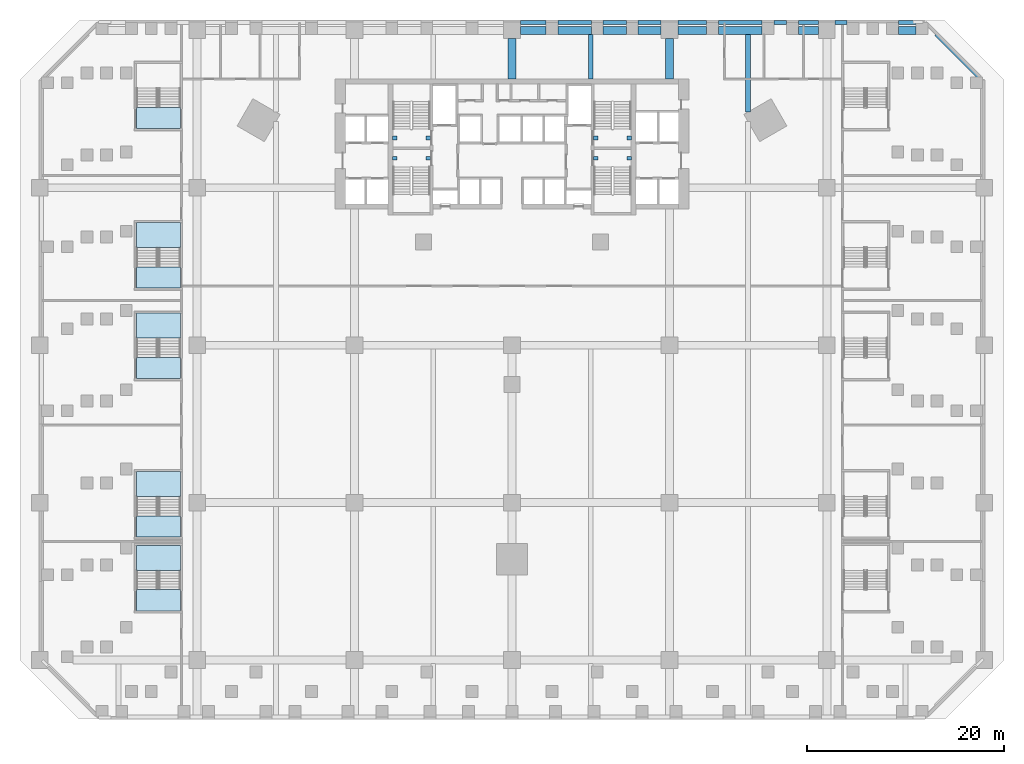
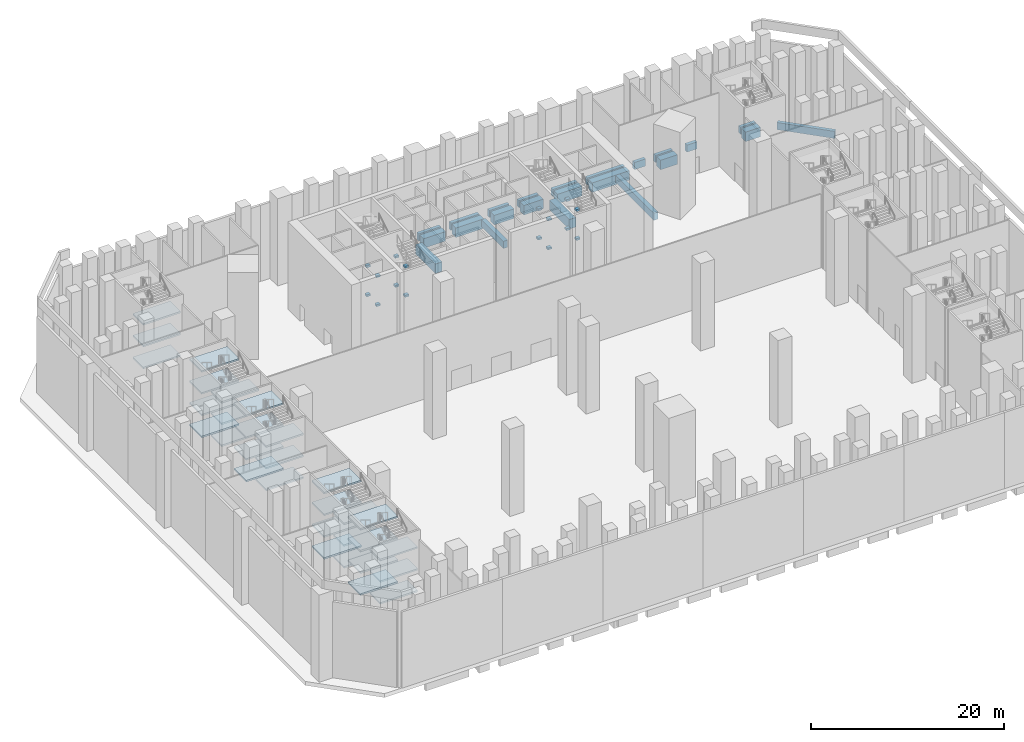
# One storey, part 3 of 31: 39 beams, 31 slabs, 5 elements without a shape of their own.
"""IFC4 building model written with IfcOpenShell, lengths in metres."""

from ifc_helpers import new_model, si_unit, direction, frame, origin, origin_2d, place, context, subcontext, project, spatial, polyline, rectangle, outline, extrude, material, layer, layer_set, material_profile, profile_set, type_object, element, aggregate, save


model = new_model("IFC4")

# Units and contexts
model_context = context("Model", 3, precision=1e-05, world=origin(), true_north=direction((0.0, 1.0)))
body_context = subcontext(model_context, "Body", "Model", "MODEL_VIEW")
ifc_project = project(units=[si_unit("LENGTHUNIT", "METRE"), si_unit("AREAUNIT", "SQUARE_METRE"), si_unit("VOLUMEUNIT", "CUBIC_METRE"), si_unit("PLANEANGLEUNIT", "RADIAN"), si_unit("MASSUNIT", "GRAM", prefix="KILO")], contexts=[model_context])

# Site, building, storey
site_placement = place(None, origin())
site = spatial("IfcSite", under=ifc_project, at=site_placement, CompositionType="ELEMENT")
building_placement = place(site_placement, origin())
building = spatial("IfcBuilding", under=site, at=building_placement, Name="Calabash Gate Tower", CompositionType="ELEMENT")
storey_placement = place(building_placement, frame((0.0, 0.0, 9.0)))
storey = spatial("IfcBuildingStorey", under=building, at=storey_placement, Name="L01", CompositionType="ELEMENT", Elevation=9.0)

# Beams
ifc_material_1 = material(Name="Concrete C50/60", Category="concrete")
ifc_material_profile_1 = material_profile(ifc_material_1, rectangle(XDim=0.39990234375, YDim=0.89990234375, at=origin_2d()))
ifc_profile_set_1 = profile_set([ifc_material_profile_1], Name="Concrete C50/60")
beam_type_1 = type_object("IfcBeamType", Name="Edge beam RC 400x900 Concrete C50/60", PredefinedType="BEAM", material=ifc_profile_set_1)
beam_1_placement = place(storey_placement, frame((0.85009765625, 24.800048828125, -0.949951171875), z_axis=(1.0, 0.0, 0.0), x_axis=(0.0, 1.0, 0.0)))
element("IfcBeam", 1, at=beam_1_placement, inside=storey, type_object=beam_type_1, Name="Edge beam L01 20", PredefinedType="BEAM", context=body_context, shape_type="SweptSolid", body=[
    extrude(rectangle(XDim=0.39990234375, YDim=0.89990234375, at=origin_2d()), origin(), (0.0, 0.0, 1.0), 2.6240234375),
])
beam_2_placement = place(storey_placement, frame((4.674072265625, 24.800048828125, -0.949951171875), z_axis=(1.0, 0.0, 0.0), x_axis=(0.0, 1.0, 0.0)))
element("IfcBeam", 2, at=beam_2_placement, inside=storey, type_object=beam_type_1, Name="Edge beam L01 21", PredefinedType="BEAM", context=body_context, shape_type="SweptSolid", body=[
    extrude(rectangle(XDim=0.39990234375, YDim=0.89990234375, at=origin_2d()), origin(), (0.0, 0.0, 1.0), 3.392822265625),
])
beam_3_placement = place(storey_placement, frame((9.26708984375, 24.800048828125, -0.949951171875), z_axis=(1.0, 0.0, 0.0), x_axis=(0.0, 1.0, 0.0)))
element("IfcBeam", 3, at=beam_3_placement, inside=storey, type_object=beam_type_1, Name="Edge beam L01 22", PredefinedType="BEAM", context=body_context, shape_type="SweptSolid", body=[
    extrude(rectangle(XDim=0.39990234375, YDim=0.89990234375, at=origin_2d()), origin(), (0.0, 0.0, 1.0), 2.35595703125),
])
beam_4_placement = place(storey_placement, frame((12.822998046875, 24.800048828125, -0.949951171875), z_axis=(1.0, 0.0, 0.0), x_axis=(0.0, 1.0, 0.0)))
element("IfcBeam", 4, at=beam_4_placement, inside=storey, type_object=beam_type_1, Name="Edge beam L01 23", PredefinedType="BEAM", context=body_context, shape_type="SweptSolid", body=[
    extrude(rectangle(XDim=0.39990234375, YDim=0.89990234375, at=origin_2d()), origin(), (0.0, 0.0, 1.0), 2.326904296875),
])
beam_5_placement = place(storey_placement, frame((16.85009765625, 24.800048828125, -0.949951171875), z_axis=(1.0, 0.0, 0.0), x_axis=(0.0, 1.0, 0.0)))
element("IfcBeam", 5, at=beam_5_placement, inside=storey, type_object=beam_type_1, Name="Edge beam L01 24", PredefinedType="BEAM", context=body_context, shape_type="SweptSolid", body=[
    extrude(rectangle(XDim=0.39990234375, YDim=0.89990234375, at=origin_2d()), origin(), (0.0, 0.0, 1.0), 2.9208984375),
])
beam_6_placement = place(storey_placement, frame((20.971923828125, 24.800048828125, -0.949951171875), z_axis=(1.0, 0.0, 0.0), x_axis=(0.0, 1.0, 0.0)))
element("IfcBeam", 6, at=beam_6_placement, inside=storey, type_object=beam_type_1, Name="Edge beam L01 25", PredefinedType="BEAM", context=body_context, shape_type="SweptSolid", body=[
    extrude(rectangle(XDim=0.39990234375, YDim=0.89990234375, at=origin_2d()), origin(), (0.0, 0.0, 1.0), 4.428955078125),
])
beam_7_placement = place(storey_placement, frame((26.60205078125, 24.800048828125, -0.949951171875), z_axis=(1.0, 0.0, 0.0), x_axis=(0.0, 1.0, 0.0)))
element("IfcBeam", 7, at=beam_7_placement, inside=storey, type_object=beam_type_1, Name="Edge beam L01 26", PredefinedType="BEAM", context=body_context, shape_type="SweptSolid", body=[
    extrude(rectangle(XDim=0.39990234375, YDim=0.89990234375, at=origin_2d()), origin(), (0.0, 0.0, 1.0), 1.31787109375),
])
beam_8_placement = place(storey_placement, frame((29.1201171875, 24.800048828125, -0.949951171875), z_axis=(1.0, 0.0, 0.0), x_axis=(0.0, 1.0, 0.0)))
element("IfcBeam", 8, at=beam_8_placement, inside=storey, type_object=beam_type_1, Name="Edge beam L01 27", PredefinedType="BEAM", context=body_context, shape_type="SweptSolid", body=[
    extrude(rectangle(XDim=0.39990234375, YDim=0.89990234375, at=origin_2d()), origin(), (0.0, 0.0, 1.0), 2.02978515625),
])
beam_9_placement = place(storey_placement, frame((32.85009765625, 24.800048828125, -0.949951171875), z_axis=(1.0, 0.0, 0.0), x_axis=(0.0, 1.0, 0.0)))
element("IfcBeam", 9, at=beam_9_placement, inside=storey, type_object=beam_type_1, Name="Edge beam L01 28", PredefinedType="BEAM", context=body_context, shape_type="SweptSolid", body=[
    extrude(rectangle(XDim=0.39990234375, YDim=0.89990234375, at=origin_2d()), origin(), (0.0, 0.0, 1.0), 1.218994140625),
])
beam_10_placement = place(storey_placement, frame((39.26904296875, 24.800048828125, -0.949951171875), z_axis=(1.0, 0.0, 0.0), x_axis=(0.0, 1.0, 0.0)))
element("IfcBeam", 10, at=beam_10_placement, inside=storey, type_object=beam_type_1, Name="Edge beam L01 29", PredefinedType="BEAM", context=body_context, shape_type="SweptSolid", body=[
    extrude(rectangle(XDim=0.39990234375, YDim=0.89990234375, at=origin_2d()), origin(), (0.0, 0.0, 1.0), 1.800048828125),
])
beam_11_placement = place(storey_placement, frame((43.096923828125, 23.623046875, -0.949951171875), z_axis=(0.706869642942, -0.70734383993, 0.0), x_axis=(0.70734383993, 0.706869642942, 0.0)))
element("IfcBeam", 11, at=beam_11_placement, inside=storey, type_object=beam_type_1, Name="Edge beam L01 30", PredefinedType="BEAM", context=body_context, shape_type="SweptSolid", body=[
    extrude(rectangle(XDim=0.39990234375, YDim=0.89990234375, at=origin_2d()), origin(), (0.0, 0.0, 1.0), 6.17822265625),
])
ifc_material_2 = material(Name="Concrete C50/60", Category="concrete")
ifc_material_profile_2 = material_profile(ifc_material_2, rectangle(XDim=0.5, YDim=0.89990234375, at=origin_2d()))
ifc_profile_set_2 = profile_set([ifc_material_profile_2], Name="Concrete C50/60")
beam_type_2 = type_object("IfcBeamType", Name="Floor beam RC 500x900 Concrete C50/60", PredefinedType="BEAM", material=ifc_profile_set_2)
beam_12_placement = place(storey_placement, frame((8.0, 19.052978515625, -0.949951171875), z_axis=(0.0, 1.0, 0.0), x_axis=(-1.0, 0.0, 0.0)))
element("IfcBeam", 12, at=beam_12_placement, inside=storey, type_object=beam_type_2, Name="Floor beam L01 15", PredefinedType="BEAM", context=body_context, shape_type="SweptSolid", body=[
    extrude(rectangle(XDim=0.5, YDim=0.89990234375, at=origin_2d()), origin(), (0.0, 0.0, 1.0), 4.547119140625),
])
beam_13_placement = place(storey_placement, frame((24.0, 15.681884765625, -0.949951171875), z_axis=(0.0, 1.0, 0.0), x_axis=(-1.0, 0.0, 0.0)))
element("IfcBeam", 13, at=beam_13_placement, inside=storey, type_object=beam_type_2, Name="Floor beam L01 21", PredefinedType="BEAM", context=body_context, shape_type="SweptSolid", body=[
    extrude(rectangle(XDim=0.5, YDim=0.89990234375, at=origin_2d()), origin(), (0.0, 0.0, 1.0), 7.918212890625),
])
ifc_material_3 = material(Name="Concrete C50/60", Category="concrete")
ifc_material_profile_3 = material_profile(ifc_material_3, rectangle(XDim=0.800048828125, YDim=1.199951171875, at=origin_2d()))
ifc_profile_set_3 = profile_set([ifc_material_profile_3], Name="Concrete C50/60")
beam_type_3 = type_object("IfcBeamType", Name="Grid girder RC 800x1200 Concrete C50/60", PredefinedType="BEAM", material=ifc_profile_set_3)
for number, where, z_axis, x_axis, name in (
    (14, (0.0, 19.052978515625, -1.10009765625), (0.0, 1.0, 0.0), (-1.0, 0.0, 0.0), "Grid girder L01 16"),
    (15, (16.0, 19.052978515625, -1.10009765625), (0.0, 1.0, 0.0), (-1.0, 0.0, 0.0), "Grid girder L01 21"),
):
    element("IfcBeam", number, at=place(storey_placement, frame(where, z_axis=z_axis, x_axis=x_axis)), inside=storey, type_object=beam_type_3, Name=name, PredefinedType="BEAM", context=body_context, shape_type="SweptSolid", body=[
        extrude(rectangle(XDim=0.800048828125, YDim=1.199951171875, at=origin_2d()), origin(), (0.0, 0.0, 1.0), 4.096923828125),
    ])
beam_14_placement = place(storey_placement, frame((0.85009765625, 24.0, -1.10009765625), z_axis=(1.0, 0.0, 0.0), x_axis=(0.0, 1.0, 0.0)))
element("IfcBeam", 16, at=beam_14_placement, inside=storey, type_object=beam_type_3, Name="Grid girder L01 53", PredefinedType="BEAM", context=body_context, shape_type="SweptSolid", body=[
    extrude(rectangle(XDim=0.800048828125, YDim=1.199951171875, at=origin_2d()), origin(), (0.0, 0.0, 1.0), 2.6240234375),
])
beam_15_placement = place(storey_placement, frame((4.674072265625, 24.0, -1.10009765625), z_axis=(1.0, 0.0, 0.0), x_axis=(0.0, 1.0, 0.0)))
element("IfcBeam", 17, at=beam_15_placement, inside=storey, type_object=beam_type_3, Name="Grid girder L01 54", PredefinedType="BEAM", context=body_context, shape_type="SweptSolid", body=[
    extrude(rectangle(XDim=0.800048828125, YDim=1.199951171875, at=origin_2d()), origin(), (0.0, 0.0, 1.0), 3.392822265625),
])
beam_16_placement = place(storey_placement, frame((9.26708984375, 24.0, -1.10009765625), z_axis=(1.0, 0.0, 0.0), x_axis=(0.0, 1.0, 0.0)))
element("IfcBeam", 18, at=beam_16_placement, inside=storey, type_object=beam_type_3, Name="Grid girder L01 55", PredefinedType="BEAM", context=body_context, shape_type="SweptSolid", body=[
    extrude(rectangle(XDim=0.800048828125, YDim=1.199951171875, at=origin_2d()), origin(), (0.0, 0.0, 1.0), 2.35595703125),
])
beam_17_placement = place(storey_placement, frame((12.822998046875, 24.0, -1.10009765625), z_axis=(1.0, 0.0, 0.0), x_axis=(0.0, 1.0, 0.0)))
element("IfcBeam", 19, at=beam_17_placement, inside=storey, type_object=beam_type_3, Name="Grid girder L01 56", PredefinedType="BEAM", context=body_context, shape_type="SweptSolid", body=[
    extrude(rectangle(XDim=0.800048828125, YDim=1.199951171875, at=origin_2d()), origin(), (0.0, 0.0, 1.0), 2.326904296875),
])
beam_18_placement = place(storey_placement, frame((16.85009765625, 24.0, -1.10009765625), z_axis=(1.0, 0.0, 0.0), x_axis=(0.0, 1.0, 0.0)))
element("IfcBeam", 20, at=beam_18_placement, inside=storey, type_object=beam_type_3, Name="Grid girder L01 57", PredefinedType="BEAM", context=body_context, shape_type="SweptSolid", body=[
    extrude(rectangle(XDim=0.800048828125, YDim=1.199951171875, at=origin_2d()), origin(), (0.0, 0.0, 1.0), 2.9208984375),
])
beam_19_placement = place(storey_placement, frame((20.971923828125, 24.0, -1.10009765625), z_axis=(1.0, 0.0, 0.0), x_axis=(0.0, 1.0, 0.0)))
element("IfcBeam", 21, at=beam_19_placement, inside=storey, type_object=beam_type_3, Name="Grid girder L01 58", PredefinedType="BEAM", context=body_context, shape_type="SweptSolid", body=[
    extrude(rectangle(XDim=0.800048828125, YDim=1.199951171875, at=origin_2d()), origin(), (0.0, 0.0, 1.0), 4.428955078125),
])
beam_20_placement = place(storey_placement, frame((29.1201171875, 24.0, -1.10009765625), z_axis=(1.0, 0.0, 0.0), x_axis=(0.0, 1.0, 0.0)))
element("IfcBeam", 22, at=beam_20_placement, inside=storey, type_object=beam_type_3, Name="Grid girder L01 59", PredefinedType="BEAM", context=body_context, shape_type="SweptSolid", body=[
    extrude(rectangle(XDim=0.800048828125, YDim=1.199951171875, at=origin_2d()), origin(), (0.0, 0.0, 1.0), 2.02978515625),
])
beam_21_placement = place(storey_placement, frame((39.26904296875, 24.0, -1.10009765625), z_axis=(1.0, 0.0, 0.0), x_axis=(0.0, 1.0, 0.0)))
element("IfcBeam", 23, at=beam_21_placement, inside=storey, type_object=beam_type_3, Name="Grid girder L01 60", PredefinedType="BEAM", context=body_context, shape_type="SweptSolid", body=[
    extrude(rectangle(XDim=0.800048828125, YDim=1.199951171875, at=origin_2d()), origin(), (0.0, 0.0, 1.0), 1.800048828125),
])
ifc_material_4 = material(Name="Concrete C60/75", Category="concrete")
ifc_material_profile_4 = material_profile(ifc_material_4, rectangle(XDim=0.39990234375, YDim=0.25, at=origin_2d()))
ifc_profile_set_4 = profile_set([ifc_material_profile_4], Name="Concrete C60/75")
beam_type_4 = type_object("IfcBeamType", Name="Landing corbel RC 400x250 Concrete C60/75", PredefinedType="BEAM", material=ifc_profile_set_4)
for number, where, z_axis, x_axis, name in (
    (24, (-12.14990234375, 13.052978515625, 3.341064453125), (1.0, 0.0, 0.0), (0.0, 1.0, 0.0), "Landing corbel ST1-L01/L2 west"),
    (25, (-8.300048828125, 13.052978515625, 3.341064453125), (-1.0, 0.0, 0.0), (0.0, -1.0, 0.0), "Landing corbel ST1-L01/L2 east"),
    (26, (-12.14990234375, 13.052978515625, 7.007080078125), (1.0, 0.0, 0.0), (0.0, 1.0, 0.0), "Landing corbel ST1-L01/L4 west"),
    (27, (-8.300048828125, 13.052978515625, 7.007080078125), (-1.0, 0.0, 0.0), (0.0, -1.0, 0.0), "Landing corbel ST1-L01/L4 east"),
    (28, (-12.14990234375, 11.0029296875, 3.341064453125), (1.0, 0.0, 0.0), (0.0, 1.0, 0.0), "Landing corbel ST2-L01/L2 west"),
    (29, (-8.300048828125, 11.0029296875, 3.341064453125), (-1.0, 0.0, 0.0), (0.0, -1.0, 0.0), "Landing corbel ST2-L01/L2 east"),
    (30, (-12.14990234375, 11.0029296875, 7.007080078125), (1.0, 0.0, 0.0), (0.0, 1.0, 0.0), "Landing corbel ST2-L01/L4 west"),
    (31, (-8.300048828125, 11.0029296875, 7.007080078125), (-1.0, 0.0, 0.0), (0.0, -1.0, 0.0), "Landing corbel ST2-L01/L4 east"),
    (32, (8.300048828125, 13.052978515625, 3.341064453125), (1.0, 0.0, 0.0), (0.0, 1.0, 0.0), "Landing corbel ST3-L01/L2 west"),
    (33, (12.14990234375, 13.052978515625, 3.341064453125), (-1.0, 0.0, 0.0), (0.0, -1.0, 0.0), "Landing corbel ST3-L01/L2 east"),
    (34, (8.300048828125, 13.052978515625, 7.007080078125), (1.0, 0.0, 0.0), (0.0, 1.0, 0.0), "Landing corbel ST3-L01/L4 west"),
    (35, (12.14990234375, 13.052978515625, 7.007080078125), (-1.0, 0.0, 0.0), (0.0, -1.0, 0.0), "Landing corbel ST3-L01/L4 east"),
    (36, (8.300048828125, 11.0029296875, 3.341064453125), (1.0, 0.0, 0.0), (0.0, 1.0, 0.0), "Landing corbel ST4-L01/L2 west"),
    (37, (12.14990234375, 11.0029296875, 3.341064453125), (-1.0, 0.0, 0.0), (0.0, -1.0, 0.0), "Landing corbel ST4-L01/L2 east"),
    (38, (8.300048828125, 11.0029296875, 7.007080078125), (1.0, 0.0, 0.0), (0.0, 1.0, 0.0), "Landing corbel ST4-L01/L4 west"),
    (39, (12.14990234375, 11.0029296875, 7.007080078125), (-1.0, 0.0, 0.0), (0.0, -1.0, 0.0), "Landing corbel ST4-L01/L4 east"),
):
    element("IfcBeam", number, at=place(storey_placement, frame(where, z_axis=z_axis, x_axis=x_axis)), inside=storey, type_object=beam_type_4, Name=name, PredefinedType="BEAM", context=body_context, shape_type="SweptSolid", body=[
        extrude(rectangle(XDim=0.39990234375, YDim=0.25, at=origin_2d()), origin(), (0.0, 0.0, 1.0), 0.449951171875),
    ])

# Stair, slabs
ifc_material_5 = material(Name="Concrete C40/50", Category="concrete")
stair_type = type_object("IfcStairType", Name="Public stair 64 risers of 171.9 mm", PredefinedType="HALF_TURN_STAIR", material=ifc_material_5)
stair_1_placement = place(storey_placement, origin())
stair_1 = element("IfcStair", 40, at=stair_1_placement, inside=storey, type_object=stair_type, Name="L01 Public Stair PS1", PredefinedType="HALF_TURN_STAIR")
ifc_material_6 = material(Name="Concrete C40/50", Category="concrete")
ifc_layer = layer(ifc_material_6, 0.199951171875)
ifc_layer_set = layer_set([ifc_layer], Name="Stair landing SL200")
slab_type = type_object("IfcSlabType", Name="Stair landing SL200", PredefinedType="LANDING", material=ifc_layer_set)
slab_1_placement = place(storey_placement, frame((0.0, 0.0, 1.175048828125)))
slab_1 = element("IfcSlab", 41, at=slab_1_placement, type_object=slab_type, Name="PS1 landing 1", PredefinedType="LANDING", context=body_context, shape_type="SweptSolid", body=[
    extrude(outline(polyline([(-33.699951171875, -30.886962890625), (-33.699951171875, -28.35009765625), (-38.169921875, -28.35009765625), (-38.169921875, -30.886962890625), (-33.699951171875, -30.886962890625)])), origin(), (0.0, 0.0, 1.0), 0.199951171875),
])
slab_2_placement = place(storey_placement, frame((0.0, 0.0, 2.550048828125)))
slab_2 = element("IfcSlab", 42, at=slab_2_placement, type_object=slab_type, Name="PS1 landing 2", PredefinedType="LANDING", context=body_context, shape_type="SweptSolid", body=[
    extrude(outline(polyline([(-33.699951171875, -35.0), (-33.699951171875, -32.840087890625), (-38.169921875, -32.840087890625), (-38.169921875, -35.0), (-33.699951171875, -35.0)])), origin(), (0.0, 0.0, 1.0), 0.199951171875),
])
slab_3_placement = place(storey_placement, frame((0.0, 0.0, 3.925048828125)))
slab_3 = element("IfcSlab", 43, at=slab_3_placement, type_object=slab_type, Name="PS1 landing 3", PredefinedType="LANDING", context=body_context, shape_type="SweptSolid", body=[
    extrude(outline(polyline([(-33.699951171875, -30.886962890625), (-33.699951171875, -28.35009765625), (-38.169921875, -28.35009765625), (-38.169921875, -30.886962890625), (-33.699951171875, -30.886962890625)])), origin(), (0.0, 0.0, 1.0), 0.199951171875),
])
slab_4_placement = place(storey_placement, frame((0.0, 0.0, 5.300048828125)))
slab_4 = element("IfcSlab", 44, at=slab_4_placement, type_object=slab_type, Name="PS1 landing 4", PredefinedType="LANDING", context=body_context, shape_type="SweptSolid", body=[
    extrude(outline(polyline([(-33.699951171875, -35.0), (-33.699951171875, -32.840087890625), (-38.169921875, -32.840087890625), (-38.169921875, -35.0), (-33.699951171875, -35.0)])), origin(), (0.0, 0.0, 1.0), 0.199951171875),
])
slab_5_placement = place(storey_placement, frame((0.0, 0.0, 6.675048828125)))
slab_5 = element("IfcSlab", 45, at=slab_5_placement, type_object=slab_type, Name="PS1 landing 5", PredefinedType="LANDING", context=body_context, shape_type="SweptSolid", body=[
    extrude(outline(polyline([(-33.699951171875, -30.886962890625), (-33.699951171875, -28.35009765625), (-38.169921875, -28.35009765625), (-38.169921875, -30.886962890625), (-33.699951171875, -30.886962890625)])), origin(), (0.0, 0.0, 1.0), 0.199951171875),
])
slab_6_placement = place(storey_placement, frame((0.0, 0.0, 8.050048828125)))
slab_6 = element("IfcSlab", 46, at=slab_6_placement, type_object=slab_type, Name="PS1 landing 6", PredefinedType="LANDING", context=body_context, shape_type="SweptSolid", body=[
    extrude(outline(polyline([(-33.699951171875, -35.0), (-33.699951171875, -32.840087890625), (-38.169921875, -32.840087890625), (-38.169921875, -35.0), (-33.699951171875, -35.0)])), origin(), (0.0, 0.0, 1.0), 0.199951171875),
])
slab_7_placement = place(storey_placement, frame((0.0, 0.0, 9.425048828125)))
slab_7 = element("IfcSlab", 47, at=slab_7_placement, type_object=slab_type, Name="PS1 landing 7", PredefinedType="LANDING", context=body_context, shape_type="SweptSolid", body=[
    extrude(outline(polyline([(-33.699951171875, -30.886962890625), (-33.699951171875, -28.35009765625), (-38.169921875, -28.35009765625), (-38.169921875, -30.886962890625), (-33.699951171875, -30.886962890625)])), origin(), (0.0, 0.0, 1.0), 0.199951171875),
])
aggregate(stair_1, [slab_1, slab_2, slab_3, slab_4, slab_5, slab_6, slab_7])

stair_2_placement = place(storey_placement, origin())
stair_2 = element("IfcStair", 48, at=stair_2_placement, inside=storey, type_object=stair_type, Name="L01 Public Stair PS2", PredefinedType="HALF_TURN_STAIR")
slab_8_placement = place(storey_placement, frame((0.0, 0.0, 1.175048828125)))
slab_8 = element("IfcSlab", 49, at=slab_8_placement, type_object=slab_type, Name="PS2 landing 1", PredefinedType="LANDING", context=body_context, shape_type="SweptSolid", body=[
    extrude(outline(polyline([(-33.699951171875, -23.386962890625), (-33.699951171875, -20.85009765625), (-38.169921875, -20.85009765625), (-38.169921875, -23.386962890625), (-33.699951171875, -23.386962890625)])), origin(), (0.0, 0.0, 1.0), 0.199951171875),
])
slab_9_placement = place(storey_placement, frame((0.0, 0.0, 2.550048828125)))
slab_9 = element("IfcSlab", 50, at=slab_9_placement, type_object=slab_type, Name="PS2 landing 2", PredefinedType="LANDING", context=body_context, shape_type="SweptSolid", body=[
    extrude(outline(polyline([(-33.699951171875, -27.5), (-33.699951171875, -25.340087890625), (-38.169921875, -25.340087890625), (-38.169921875, -27.5), (-33.699951171875, -27.5)])), origin(), (0.0, 0.0, 1.0), 0.199951171875),
])
slab_10_placement = place(storey_placement, frame((0.0, 0.0, 3.925048828125)))
slab_10 = element("IfcSlab", 51, at=slab_10_placement, type_object=slab_type, Name="PS2 landing 3", PredefinedType="LANDING", context=body_context, shape_type="SweptSolid", body=[
    extrude(outline(polyline([(-33.699951171875, -23.386962890625), (-33.699951171875, -20.85009765625), (-38.169921875, -20.85009765625), (-38.169921875, -23.386962890625), (-33.699951171875, -23.386962890625)])), origin(), (0.0, 0.0, 1.0), 0.199951171875),
])
slab_11_placement = place(storey_placement, frame((0.0, 0.0, 5.300048828125)))
slab_11 = element("IfcSlab", 52, at=slab_11_placement, type_object=slab_type, Name="PS2 landing 4", PredefinedType="LANDING", context=body_context, shape_type="SweptSolid", body=[
    extrude(outline(polyline([(-33.699951171875, -27.5), (-33.699951171875, -25.340087890625), (-38.169921875, -25.340087890625), (-38.169921875, -27.5), (-33.699951171875, -27.5)])), origin(), (0.0, 0.0, 1.0), 0.199951171875),
])
slab_12_placement = place(storey_placement, frame((0.0, 0.0, 6.675048828125)))
slab_12 = element("IfcSlab", 53, at=slab_12_placement, type_object=slab_type, Name="PS2 landing 5", PredefinedType="LANDING", context=body_context, shape_type="SweptSolid", body=[
    extrude(outline(polyline([(-33.699951171875, -23.386962890625), (-33.699951171875, -20.85009765625), (-38.169921875, -20.85009765625), (-38.169921875, -23.386962890625), (-33.699951171875, -23.386962890625)])), origin(), (0.0, 0.0, 1.0), 0.199951171875),
])
slab_13_placement = place(storey_placement, frame((0.0, 0.0, 8.050048828125)))
slab_13 = element("IfcSlab", 54, at=slab_13_placement, type_object=slab_type, Name="PS2 landing 6", PredefinedType="LANDING", context=body_context, shape_type="SweptSolid", body=[
    extrude(outline(polyline([(-33.699951171875, -27.5), (-33.699951171875, -25.340087890625), (-38.169921875, -25.340087890625), (-38.169921875, -27.5), (-33.699951171875, -27.5)])), origin(), (0.0, 0.0, 1.0), 0.199951171875),
])
slab_14_placement = place(storey_placement, frame((0.0, 0.0, 9.425048828125)))
slab_14 = element("IfcSlab", 55, at=slab_14_placement, type_object=slab_type, Name="PS2 landing 7", PredefinedType="LANDING", context=body_context, shape_type="SweptSolid", body=[
    extrude(outline(polyline([(-33.699951171875, -23.386962890625), (-33.699951171875, -20.85009765625), (-38.169921875, -20.85009765625), (-38.169921875, -23.386962890625), (-33.699951171875, -23.386962890625)])), origin(), (0.0, 0.0, 1.0), 0.199951171875),
])
aggregate(stair_2, [slab_8, slab_9, slab_10, slab_11, slab_12, slab_13, slab_14])

stair_3_placement = place(storey_placement, origin())
stair_3 = element("IfcStair", 56, at=stair_3_placement, inside=storey, type_object=stair_type, Name="L01 Public Stair PS3", PredefinedType="HALF_TURN_STAIR")
slab_15_placement = place(storey_placement, frame((0.0, 0.0, 1.175048828125)))
slab_15 = element("IfcSlab", 57, at=slab_15_placement, type_object=slab_type, Name="PS3 landing 1", PredefinedType="LANDING", context=body_context, shape_type="SweptSolid", body=[
    extrude(outline(polyline([(-33.699951171875, -7.287109375), (-33.699951171875, -4.75), (-38.169921875, -4.75), (-38.169921875, -7.287109375), (-33.699951171875, -7.287109375)])), origin(), (0.0, 0.0, 1.0), 0.199951171875),
])
slab_16_placement = place(storey_placement, frame((0.0, 0.0, 2.550048828125)))
slab_16 = element("IfcSlab", 58, at=slab_16_placement, type_object=slab_type, Name="PS3 landing 2", PredefinedType="LANDING", context=body_context, shape_type="SweptSolid", body=[
    extrude(outline(polyline([(-33.699951171875, -11.39990234375), (-33.699951171875, -9.239990234375), (-38.169921875, -9.239990234375), (-38.169921875, -11.39990234375), (-33.699951171875, -11.39990234375)])), origin(), (0.0, 0.0, 1.0), 0.199951171875),
])
slab_17_placement = place(storey_placement, frame((0.0, 0.0, 3.925048828125)))
slab_17 = element("IfcSlab", 59, at=slab_17_placement, type_object=slab_type, Name="PS3 landing 3", PredefinedType="LANDING", context=body_context, shape_type="SweptSolid", body=[
    extrude(outline(polyline([(-33.699951171875, -7.287109375), (-33.699951171875, -4.75), (-38.169921875, -4.75), (-38.169921875, -7.287109375), (-33.699951171875, -7.287109375)])), origin(), (0.0, 0.0, 1.0), 0.199951171875),
])
slab_18_placement = place(storey_placement, frame((0.0, 0.0, 5.300048828125)))
slab_18 = element("IfcSlab", 60, at=slab_18_placement, type_object=slab_type, Name="PS3 landing 4", PredefinedType="LANDING", context=body_context, shape_type="SweptSolid", body=[
    extrude(outline(polyline([(-33.699951171875, -11.39990234375), (-33.699951171875, -9.239990234375), (-38.169921875, -9.239990234375), (-38.169921875, -11.39990234375), (-33.699951171875, -11.39990234375)])), origin(), (0.0, 0.0, 1.0), 0.199951171875),
])
slab_19_placement = place(storey_placement, frame((0.0, 0.0, 6.675048828125)))
slab_19 = element("IfcSlab", 61, at=slab_19_placement, type_object=slab_type, Name="PS3 landing 5", PredefinedType="LANDING", context=body_context, shape_type="SweptSolid", body=[
    extrude(outline(polyline([(-33.699951171875, -7.287109375), (-33.699951171875, -4.75), (-38.169921875, -4.75), (-38.169921875, -7.287109375), (-33.699951171875, -7.287109375)])), origin(), (0.0, 0.0, 1.0), 0.199951171875),
])
slab_20_placement = place(storey_placement, frame((0.0, 0.0, 8.050048828125)))
slab_20 = element("IfcSlab", 62, at=slab_20_placement, type_object=slab_type, Name="PS3 landing 6", PredefinedType="LANDING", context=body_context, shape_type="SweptSolid", body=[
    extrude(outline(polyline([(-33.699951171875, -11.39990234375), (-33.699951171875, -9.239990234375), (-38.169921875, -9.239990234375), (-38.169921875, -11.39990234375), (-33.699951171875, -11.39990234375)])), origin(), (0.0, 0.0, 1.0), 0.199951171875),
])
slab_21_placement = place(storey_placement, frame((0.0, 0.0, 9.425048828125)))
slab_21 = element("IfcSlab", 63, at=slab_21_placement, type_object=slab_type, Name="PS3 landing 7", PredefinedType="LANDING", context=body_context, shape_type="SweptSolid", body=[
    extrude(outline(polyline([(-33.699951171875, -7.287109375), (-33.699951171875, -4.75), (-38.169921875, -4.75), (-38.169921875, -7.287109375), (-33.699951171875, -7.287109375)])), origin(), (0.0, 0.0, 1.0), 0.199951171875),
])
aggregate(stair_3, [slab_15, slab_16, slab_17, slab_18, slab_19, slab_20, slab_21])

stair_4_placement = place(storey_placement, origin())
stair_4 = element("IfcStair", 64, at=stair_4_placement, inside=storey, type_object=stair_type, Name="L01 Public Stair PS4", PredefinedType="HALF_TURN_STAIR")
slab_22_placement = place(storey_placement, frame((0.0, 0.0, 1.175048828125)))
slab_22 = element("IfcSlab", 65, at=slab_22_placement, type_object=slab_type, Name="PS4 landing 1", PredefinedType="LANDING", context=body_context, shape_type="SweptSolid", body=[
    extrude(outline(polyline([(-33.699951171875, 1.9130859375), (-33.699951171875, 4.449951171875), (-38.169921875, 4.449951171875), (-38.169921875, 1.9130859375), (-33.699951171875, 1.9130859375)])), origin(), (0.0, 0.0, 1.0), 0.199951171875),
])
slab_23_placement = place(storey_placement, frame((0.0, 0.0, 2.550048828125)))
slab_23 = element("IfcSlab", 66, at=slab_23_placement, type_object=slab_type, Name="PS4 landing 2", PredefinedType="LANDING", context=body_context, shape_type="SweptSolid", body=[
    extrude(outline(polyline([(-33.699951171875, -2.199951171875), (-33.699951171875, -0.0400390625), (-38.169921875, -0.0400390625), (-38.169921875, -2.199951171875), (-33.699951171875, -2.199951171875)])), origin(), (0.0, 0.0, 1.0), 0.199951171875),
])
slab_24_placement = place(storey_placement, frame((0.0, 0.0, 3.925048828125)))
slab_24 = element("IfcSlab", 67, at=slab_24_placement, type_object=slab_type, Name="PS4 landing 3", PredefinedType="LANDING", context=body_context, shape_type="SweptSolid", body=[
    extrude(outline(polyline([(-33.699951171875, 1.9130859375), (-33.699951171875, 4.449951171875), (-38.169921875, 4.449951171875), (-38.169921875, 1.9130859375), (-33.699951171875, 1.9130859375)])), origin(), (0.0, 0.0, 1.0), 0.199951171875),
])
slab_25_placement = place(storey_placement, frame((0.0, 0.0, 5.300048828125)))
slab_25 = element("IfcSlab", 68, at=slab_25_placement, type_object=slab_type, Name="PS4 landing 4", PredefinedType="LANDING", context=body_context, shape_type="SweptSolid", body=[
    extrude(outline(polyline([(-33.699951171875, -2.199951171875), (-33.699951171875, -0.0400390625), (-38.169921875, -0.0400390625), (-38.169921875, -2.199951171875), (-33.699951171875, -2.199951171875)])), origin(), (0.0, 0.0, 1.0), 0.199951171875),
])
slab_26_placement = place(storey_placement, frame((0.0, 0.0, 6.675048828125)))
slab_26 = element("IfcSlab", 69, at=slab_26_placement, type_object=slab_type, Name="PS4 landing 5", PredefinedType="LANDING", context=body_context, shape_type="SweptSolid", body=[
    extrude(outline(polyline([(-33.699951171875, 1.9130859375), (-33.699951171875, 4.449951171875), (-38.169921875, 4.449951171875), (-38.169921875, 1.9130859375), (-33.699951171875, 1.9130859375)])), origin(), (0.0, 0.0, 1.0), 0.199951171875),
])
slab_27_placement = place(storey_placement, frame((0.0, 0.0, 8.050048828125)))
slab_27 = element("IfcSlab", 70, at=slab_27_placement, type_object=slab_type, Name="PS4 landing 6", PredefinedType="LANDING", context=body_context, shape_type="SweptSolid", body=[
    extrude(outline(polyline([(-33.699951171875, -2.199951171875), (-33.699951171875, -0.0400390625), (-38.169921875, -0.0400390625), (-38.169921875, -2.199951171875), (-33.699951171875, -2.199951171875)])), origin(), (0.0, 0.0, 1.0), 0.199951171875),
])
slab_28_placement = place(storey_placement, frame((0.0, 0.0, 9.425048828125)))
slab_28 = element("IfcSlab", 71, at=slab_28_placement, type_object=slab_type, Name="PS4 landing 7", PredefinedType="LANDING", context=body_context, shape_type="SweptSolid", body=[
    extrude(outline(polyline([(-33.699951171875, 1.9130859375), (-33.699951171875, 4.449951171875), (-38.169921875, 4.449951171875), (-38.169921875, 1.9130859375), (-33.699951171875, 1.9130859375)])), origin(), (0.0, 0.0, 1.0), 0.199951171875),
])
aggregate(stair_4, [slab_22, slab_23, slab_24, slab_25, slab_26, slab_27, slab_28])

stair_5_placement = place(storey_placement, origin())
stair_5 = element("IfcStair", 72, at=stair_5_placement, inside=storey, type_object=stair_type, Name="L01 Public Stair PS5", PredefinedType="HALF_TURN_STAIR")
slab_29_placement = place(storey_placement, frame((0.0, 0.0, 2.550048828125)))
slab_29 = element("IfcSlab", 73, at=slab_29_placement, type_object=slab_type, Name="PS5 landing 2", PredefinedType="LANDING", context=body_context, shape_type="SweptSolid", body=[
    extrude(outline(polyline([(-33.699951171875, 14.0), (-33.699951171875, 16.159912109375), (-38.169921875, 16.159912109375), (-38.169921875, 14.0), (-33.699951171875, 14.0)])), origin(), (0.0, 0.0, 1.0), 0.199951171875),
])
slab_30_placement = place(storey_placement, frame((0.0, 0.0, 5.300048828125)))
slab_30 = element("IfcSlab", 74, at=slab_30_placement, type_object=slab_type, Name="PS5 landing 4", PredefinedType="LANDING", context=body_context, shape_type="SweptSolid", body=[
    extrude(outline(polyline([(-33.699951171875, 14.0), (-33.699951171875, 16.159912109375), (-38.169921875, 16.159912109375), (-38.169921875, 14.0), (-33.699951171875, 14.0)])), origin(), (0.0, 0.0, 1.0), 0.199951171875),
])
slab_31_placement = place(storey_placement, frame((0.0, 0.0, 8.050048828125)))
slab_31 = element("IfcSlab", 75, at=slab_31_placement, type_object=slab_type, Name="PS5 landing 6", PredefinedType="LANDING", context=body_context, shape_type="SweptSolid", body=[
    extrude(outline(polyline([(-33.699951171875, 14.0), (-33.699951171875, 16.159912109375), (-38.169921875, 16.159912109375), (-38.169921875, 14.0), (-33.699951171875, 14.0)])), origin(), (0.0, 0.0, 1.0), 0.199951171875),
])
aggregate(stair_5, [slab_29, slab_30, slab_31])

save(model, "model.ifc")
